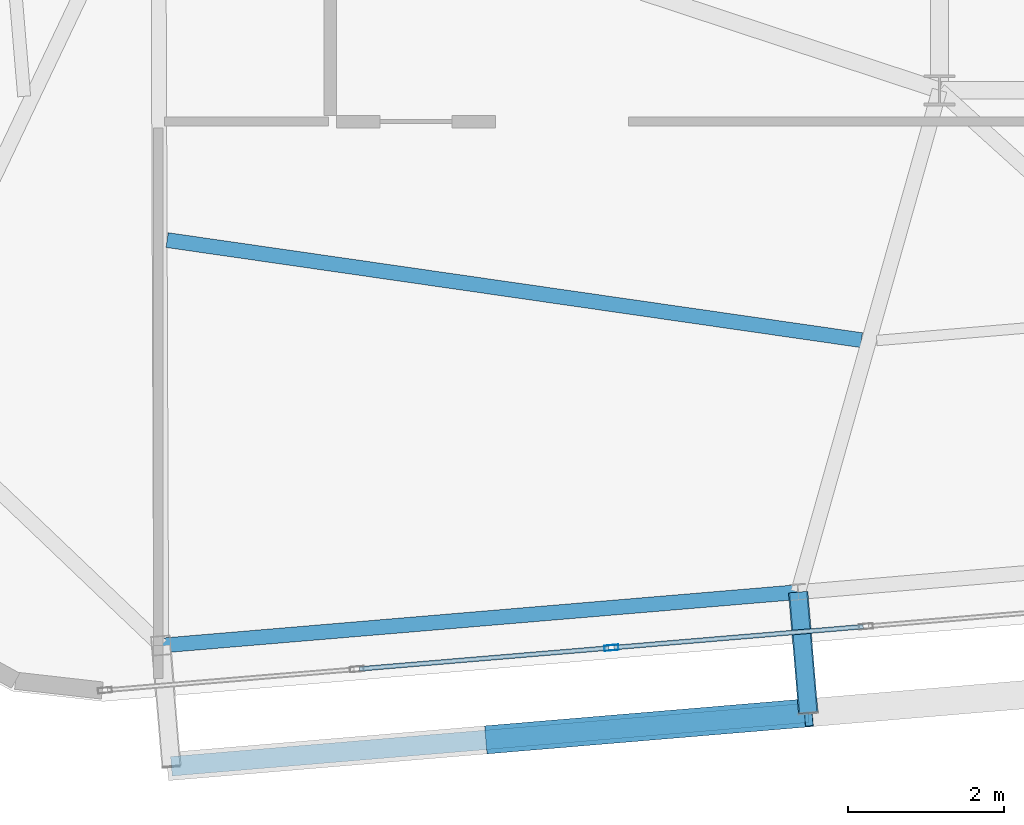
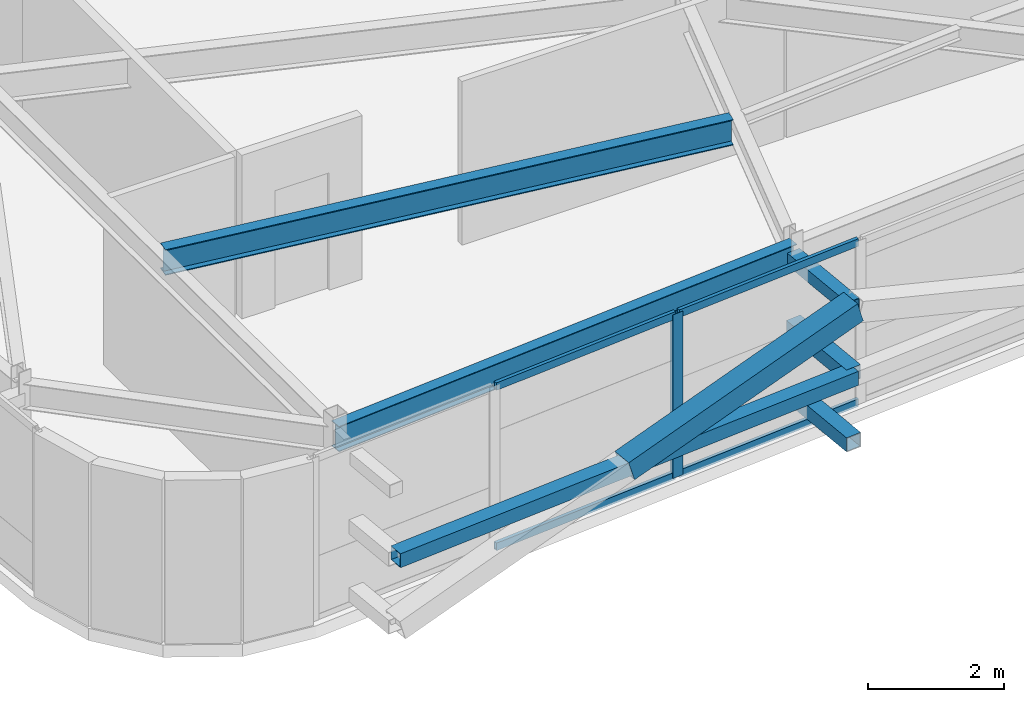
# One storey, part 8 of 46: 10 members, 2 beams, 1 element without a shape of its own.
"""IFC4 building model written with IfcOpenShell, lengths in metres."""

from ifc_helpers import new_model, si_unit, direction, frame, origin, origin_2d, place, context, subcontext, project, spatial, hollow_rectangle, i_section, extrude, source, transform, mapped, material, layer, layer_set, material_profile, profile_set, type_object, element, aggregate, save


model = new_model("IFC4")

# Units and contexts
model_context = context("Model", 3, precision=1e-05, world=origin(), true_north=direction((0.0, 1.0)))
body_context = subcontext(model_context, "Body", "Model", "MODEL_VIEW")
ifc_project = project(units=[si_unit("LENGTHUNIT", "METRE"), si_unit("AREAUNIT", "SQUARE_METRE"), si_unit("VOLUMEUNIT", "CUBIC_METRE"), si_unit("PLANEANGLEUNIT", "RADIAN"), si_unit("MASSUNIT", "GRAM", prefix="KILO")], contexts=[model_context])

# Site, building, storey
site_placement = place(None, origin())
site = spatial("IfcSite", under=ifc_project, at=site_placement, CompositionType="ELEMENT")
building_placement = place(site_placement, origin())
building = spatial("IfcBuilding", under=site, at=building_placement, Name="Taldren Reach Tower", CompositionType="ELEMENT")
storey_placement = place(building_placement, frame((0.0, 0.0, 185.14990234375)))
storey = spatial("IfcBuildingStorey", under=building, at=storey_placement, Name="L56", CompositionType="ELEMENT", Elevation=185.14990234375)

# Members
ifc_material_1 = material(Name="Steel Gr 350 (C350L0)", Category="steel")
ifc_material_profile_1 = material_profile(ifc_material_1, hollow_rectangle(XDim=0.25, YDim=0.25, WallThickness=0.010009765625, at=origin_2d()), Name="250x250x10.0SHS")
ifc_profile_set_1 = profile_set([ifc_material_profile_1], Name="Steel Gr 350 (C350L0)")
member_type_1 = type_object("IfcMemberType", Name="MB-POST250", PredefinedType="POST", material=ifc_profile_set_1)
shared_shape_1 = source(origin(), body_context, "Body", "SweptSolid", [
    extrude(hollow_rectangle(XDim=0.25, YDim=0.25, WallThickness=0.010009765625, at=origin_2d()), origin(), (0.0, 0.0, 1.0), 1.550048828125),
])
for number, where, z_axis, x_axis, name in (
    (1, (26.19091796875, 2.778564453125, 0.22021484375), (0.083632013783, -0.996496706603, 0.0), (0.996496706603, 0.083632013783, 0.0), "Exoskeleton base diaphragm tie strut B4-S2 L56"),
    (2, (26.19091796875, 2.778564453125, 1.43505859375), (0.083632013783, -0.996496706603, 0.0), (0.996496706603, 0.083632013783, 0.0), "Exoskeleton mid-tier diaphragm tie B4-S2 L56"),
):
    element("IfcMember", number, at=place(storey_placement, frame(where, z_axis=z_axis, x_axis=x_axis)), inside=storey, type_object=member_type_1, Name=name, PredefinedType="POST", context=body_context, shape_type="MappedRepresentation", body=[
        mapped(shared_shape_1, transform((0.0, 0.0, 0.0), scale=1.0)),
    ])

# Beams
ifc_material_2 = material(Name="Steel Gr 350 (350PLUS)", Category="steel")
ifc_material_profile_2 = material_profile(ifc_material_2, i_section(OverallWidth=0.18994140625, OverallDepth=0.4541015625, WebThickness=0.008544921875, FlangeThickness=0.0126953125, at=origin_2d()), Name="460UB67.1")
ifc_profile_set_2 = profile_set([ifc_material_profile_2], Name="Steel Gr 350 (350PLUS)")
beam_type_1 = type_object("IfcBeamType", Name="SP-UB460B", PredefinedType="SPANDREL", material=ifc_profile_set_2)
shared_shape_2 = source(origin(), body_context, "Body", "SweptSolid", [
    extrude(i_section(OverallWidth=0.18994140625, OverallDepth=0.4541015625, WebThickness=0.008544921875, FlangeThickness=0.0126953125, at=origin_2d()), origin(), (0.0, 0.0, 1.0), 8.18017578125),
])
beam_1_placement = place(storey_placement, frame((18.03955078125, 2.093994140625, 2.703125), z_axis=(0.996492034688, 0.083687662192, 0.0), x_axis=(-0.083687662192, 0.996492034688, 0.0)))
element("IfcBeam", 3, at=beam_1_placement, inside=storey, type_object=beam_type_1, Name="Perimeter spandrel B4 S1-S2 L56", PredefinedType="SPANDREL", context=body_context, shape_type="MappedRepresentation", body=[
    mapped(shared_shape_2, transform((0.0, 0.0, 0.0), scale=1.0)),
])
ifc_material_profile_3 = material_profile(ifc_material_2, i_section(OverallWidth=0.19091796875, OverallDepth=0.4599609375, WebThickness=0.010009765625, FlangeThickness=0.01611328125, at=origin_2d()), Name="460UB82.1")
ifc_profile_set_3 = profile_set([ifc_material_profile_3], Name="Steel Gr 350 (350PLUS)")
beam_type_2 = type_object("IfcBeamType", Name="BM-UB460A", PredefinedType="BEAM", material=ifc_profile_set_3)
shared_shape_3 = source(origin(), body_context, "Body", "SweptSolid", [
    extrude(i_section(OverallWidth=0.19091796875, OverallDepth=0.4599609375, WebThickness=0.010009765625, FlangeThickness=0.01611328125, at=origin_2d()), origin(), (0.0, 0.0, 1.0), 8.9765625),
])
beam_2_placement = place(storey_placement, frame((18.115478515625, 7.283203125, 2.7001953125), z_axis=(0.989776873291, -0.142624475806, 0.0), x_axis=(0.142624475806, 0.989776873291, 0.0)))
element("IfcBeam", 4, at=beam_2_placement, inside=storey, type_object=beam_type_2, Name="Secondary floor beam B4 J1 L56", PredefinedType="BEAM", context=body_context, shape_type="MappedRepresentation", body=[
    mapped(shared_shape_3, transform((0.0, 0.0, 0.0), scale=1.0)),
])

# Members
ifc_material_3 = material(Name="Steel Gr 450 (C450L0)", Category="steel")
ifc_material_profile_4 = material_profile(ifc_material_3, hollow_rectangle(XDim=0.219970703125, YDim=0.219970703125, WallThickness=0.00830078125, at=origin_2d()), Name="220x220x8.2SHS")
ifc_profile_set_4 = profile_set([ifc_material_profile_4], Name="Steel Gr 450 (C450L0)")
member_type_2 = type_object("IfcMemberType", Name="MB-TIE219", PredefinedType="STRUT", material=ifc_profile_set_4)
shared_shape_4 = source(origin(), body_context, "Body", "SweptSolid", [
    extrude(hollow_rectangle(XDim=0.219970703125, YDim=0.219970703125, WallThickness=0.00830078125, at=origin_2d()), origin(), (0.0, 0.0, 1.0), 1.550048828125),
])
member_1_placement = place(storey_placement, frame((26.19091796875, 2.778564453125, 2.650146484375), z_axis=(0.083632013783, -0.996496706603, 0.0), x_axis=(0.996496706603, 0.083632013783, 0.0)))
element("IfcMember", 5, at=member_1_placement, inside=storey, type_object=member_type_2, Name="Exoskeleton diaphragm tie strut B4-S2 L56", PredefinedType="STRUT", context=body_context, shape_type="MappedRepresentation", body=[
    mapped(shared_shape_4, transform((0.0, 0.0, 0.0), scale=1.0)),
])
shared_shape_5 = source(origin(), body_context, "Body", "SweptSolid", [
    extrude(hollow_rectangle(XDim=0.25, YDim=0.25, WallThickness=0.010009765625, at=origin_2d()), origin(), (0.0, 0.0, 1.0), 8.1796875),
])
member_2_placement = place(storey_placement, frame((18.16943359375, 0.549560546875, 1.43505859375), z_axis=(0.996494314327, 0.083660513465, 0.0), x_axis=(-0.083660513465, 0.996494314327, 0.0)))
element("IfcMember", 6, at=member_2_placement, inside=storey, type_object=member_type_1, Name="Exoskeleton mid-height ring chord B4-S1 L56", PredefinedType="POST", context=body_context, shape_type="MappedRepresentation", body=[
    mapped(shared_shape_5, transform((0.0, 0.0, 0.0), scale=1.0)),
])
ifc_material_profile_5 = material_profile(ifc_material_3, hollow_rectangle(XDim=0.360107421875, YDim=0.360107421875, WallThickness=0.0126953125, at=origin_2d()), Name="360x360x12.7SHS")
ifc_profile_set_5 = profile_set([ifc_material_profile_5], Name="Steel Gr 450 (C450L0)")
member_type_3 = type_object("IfcMemberType", Name="MB-EXO356", PredefinedType="BRACE", material=ifc_profile_set_5)
shared_shape_6 = source(origin(), body_context, "Body", "SweptSolid", [
    extrude(hollow_rectangle(XDim=0.360107421875, YDim=0.360107421875, WallThickness=0.0126953125, at=origin_2d()), origin(), (0.0, 0.0, 1.0), 4.266357421875),
])
member_3_placement = place(storey_placement, frame((22.2451171875, 0.8916015625, 1.43505859375), z_axis=(0.955224149813, 0.080226697301, 0.284799053113), x_axis=(-0.083692640416, 0.996491616593, 0.0)))
element("IfcMember", 7, at=member_3_placement, inside=storey, type_object=member_type_3, Name="Exoskeleton Diagrid Brace B4-S1 L56", PredefinedType="BRACE", context=body_context, shape_type="MappedRepresentation", body=[
    mapped(shared_shape_6, transform((0.0, 0.0, 0.0), scale=1.0)),
])

# Curtain wall, members
ifc_material_4 = material(Name="Aluminium and Low-E Glass Unitised System", Category="aluminium")
ifc_layer = layer(ifc_material_4, 0.159912109375)
ifc_layer_set = layer_set([ifc_layer], Name="Aluminium and Low-E Glass Unitised System")
curtain_wall_type = type_object("IfcCurtainWallType", Name="CW-SYS-5", PredefinedType="NOTDEFINED", material=ifc_layer_set)
curtain_wall_placement = place(storey_placement, origin())
curtain_wall = element("IfcCurtainWall", 8, at=curtain_wall_placement, inside=storey, type_object=curtain_wall_type, Name="Unitised curtain wall CW-L56-S", PredefinedType="NOTDEFINED")
ifc_material_5 = material(Name="Anodised Aluminium 6063-T6", Category="aluminium")
ifc_material_profile_6 = material_profile(ifc_material_5, hollow_rectangle(XDim=0.070068359375, YDim=0.179931640625, WallThickness=0.00390625, at=origin_2d()), Name="ALU-180x70x4RHS")
ifc_profile_set_6 = profile_set([ifc_material_profile_6], Name="Anodised Aluminium 6063-T6")
member_type_4 = type_object("IfcMemberType", Name="CW-MUL-180", PredefinedType="MULLION", material=ifc_profile_set_6)
shared_shape_7 = source(origin(), body_context, "Body", "SweptSolid", [
    extrude(hollow_rectangle(XDim=0.070068359375, YDim=0.179931640625, WallThickness=0.00390625, at=origin_2d()), origin(), (0.0, 0.0, 1.0), 2.93017578125),
])
member_4_placement = place(storey_placement, frame((23.80078125, 2.06591796875, 0.0), z_axis=(0.0, 0.0, 1.0), x_axis=(-0.083677894865, 0.996492854922, 0.0)))
member_4 = element("IfcMember", 9, at=member_4_placement, type_object=member_type_4, Name="CW-5 mullion 3", PredefinedType="MULLION", context=body_context, shape_type="MappedRepresentation", body=[
    mapped(shared_shape_7, transform((0.0, 0.0, 0.0), scale=1.0)),
])
ifc_material_profile_7 = material_profile(ifc_material_5, hollow_rectangle(XDim=0.06005859375, YDim=0.135009765625, WallThickness=0.00341796875, at=origin_2d()), Name="ALU-135x60x3.5RHS")
ifc_profile_set_7 = profile_set([ifc_material_profile_7], Name="Anodised Aluminium 6063-T6")
member_type_5 = type_object("IfcMemberType", Name="CW-TRN-150", PredefinedType="USERDEFINED", material=ifc_profile_set_7)
shared_shape_8 = source(origin(), body_context, "Body", "SweptSolid", [
    extrude(hollow_rectangle(XDim=0.06005859375, YDim=0.135009765625, WallThickness=0.00341796875, at=origin_2d()), origin(), (0.0, 0.0, 1.0), 3.19921875),
])
member_5_placement = place(storey_placement, frame((20.577880859375, 1.79541015625, 0.030029296875), z_axis=(0.996496109493, 0.083639128198, 0.0), x_axis=(-0.083639128198, 0.996496109493, 0.0)))
member_5 = element("IfcMember", 10, at=member_5_placement, type_object=member_type_5, Name="CW-5 transom 2.1", ObjectType="TRANSOM", PredefinedType="USERDEFINED", context=body_context, shape_type="MappedRepresentation", body=[
    mapped(shared_shape_8, transform((0.0, 0.0, 0.0), scale=1.0)),
])
member_6_placement = place(storey_placement, frame((20.577880859375, 1.79541015625, 2.900146484375), z_axis=(0.996496109493, 0.083639128198, 0.0), x_axis=(-0.083639128198, 0.996496109493, 0.0)))
member_6 = element("IfcMember", 11, at=member_6_placement, type_object=member_type_5, Name="CW-5 transom 2.2", ObjectType="TRANSOM", PredefinedType="USERDEFINED", context=body_context, shape_type="MappedRepresentation", body=[
    mapped(shared_shape_8, transform((0.0, 0.0, 0.0), scale=1.0)),
])
member_7_placement = place(storey_placement, frame((23.83544921875, 2.06884765625, 0.030029296875), z_axis=(0.996489746258, 0.083714906697, 0.0), x_axis=(-0.083714906697, 0.996489746258, 0.0)))
member_7 = element("IfcMember", 12, at=member_7_placement, type_object=member_type_5, Name="CW-5 transom 3.1", ObjectType="TRANSOM", PredefinedType="USERDEFINED", context=body_context, shape_type="MappedRepresentation", body=[
    mapped(shared_shape_8, transform((0.0, 0.0, 0.0), scale=1.0)),
])
member_8_placement = place(storey_placement, frame((23.83544921875, 2.06884765625, 2.900146484375), z_axis=(0.996489746258, 0.083714906697, 0.0), x_axis=(-0.083714906697, 0.996489746258, 0.0)))
member_8 = element("IfcMember", 13, at=member_8_placement, type_object=member_type_5, Name="CW-5 transom 3.2", ObjectType="TRANSOM", PredefinedType="USERDEFINED", context=body_context, shape_type="MappedRepresentation", body=[
    mapped(shared_shape_8, transform((0.0, 0.0, 0.0), scale=1.0)),
])
aggregate(curtain_wall, [member_4, member_5, member_6, member_7, member_8])

save(model, "model.ifc")
